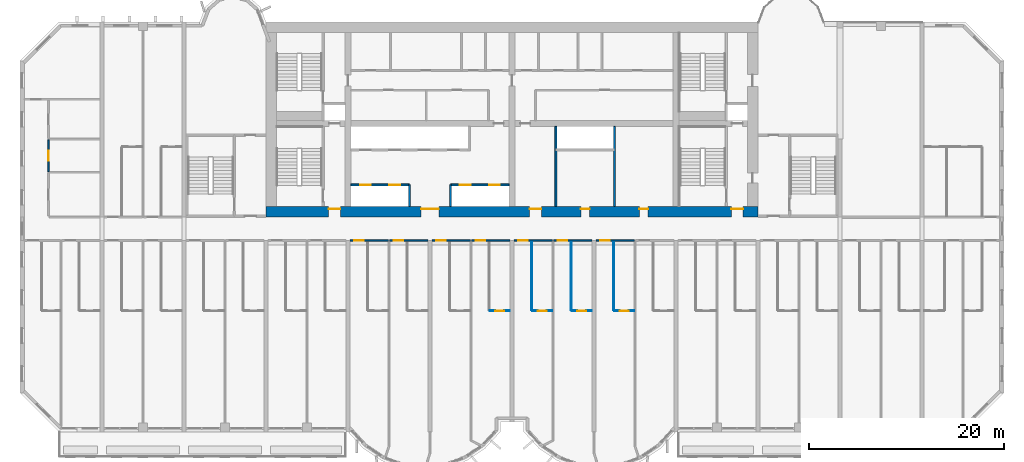
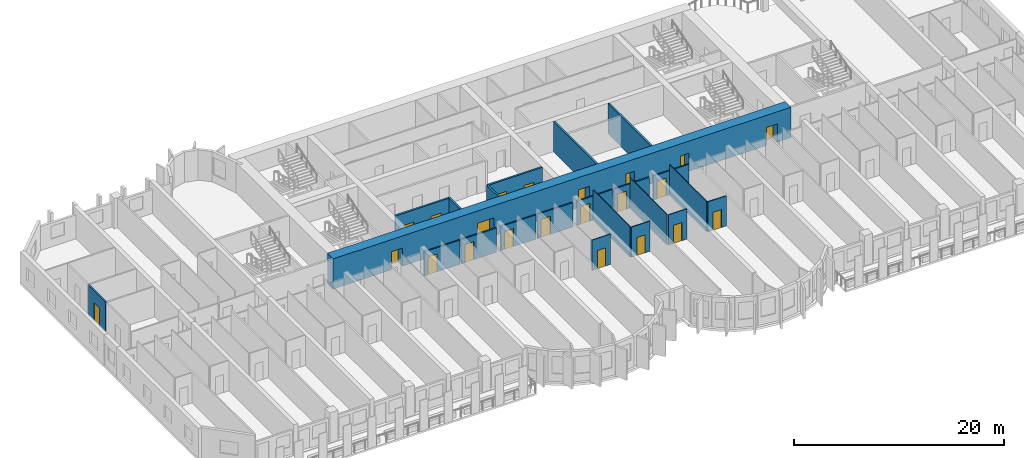
# One storey, part 5 of 14: 22 doors, 22 walls, 22 openings.
"""IFC4 building model written with IfcOpenShell, lengths in metres."""

from ifc_helpers import new_model, si_unit, direction, frame, frame_2d, origin, place, context, subcontext, project, spatial, rectangle, extrude, source, transform, mapped, material, layer, layer_set, type_object, element, fill, save


model = new_model("IFC4")

# Units and contexts
model_context = context("Model", 3, precision=1e-05, world=origin(), true_north=direction((0.0, 1.0)))
body_context = subcontext(model_context, "Body", "Model", "MODEL_VIEW")
ifc_project = project(units=[si_unit("LENGTHUNIT", "METRE"), si_unit("AREAUNIT", "SQUARE_METRE"), si_unit("VOLUMEUNIT", "CUBIC_METRE"), si_unit("PLANEANGLEUNIT", "RADIAN"), si_unit("MASSUNIT", "GRAM", prefix="KILO")], contexts=[model_context])

# Site, building, storey
site_placement = place(None, origin())
site = spatial("IfcSite", under=ifc_project, at=site_placement, CompositionType="ELEMENT")
building_placement = place(site_placement, origin())
building = spatial("IfcBuilding", under=site, at=building_placement, Name="Vanashikhar Sky Hotel", CompositionType="ELEMENT")
storey_placement = place(building_placement, frame((0.0, 0.0, 27.800048828125)))
storey = spatial("IfcBuildingStorey", under=building, at=storey_placement, Name="L05", CompositionType="ELEMENT", Elevation=27.800048828125)

# Wall, openings, doors
ifc_material_1 = material(Name="Concrete M80", Category="concrete")
ifc_layer_1 = layer(ifc_material_1, 1.10009765625)
ifc_layer_set_1 = layer_set([ifc_layer_1], Name="RC core shell wall 1100 Concrete M80")
wall_type_1 = type_object("IfcWallType", Name="RC core shell wall 1100 Concrete M80", PredefinedType="SHEAR", material=ifc_layer_set_1)
shared_shape_1 = source(origin(), body_context, "Body", "SweptSolid", [
    extrude(rectangle(XDim=50.400146484375, YDim=1.10009765625, at=frame_2d((25.2001953125, 0.0))), origin(), (0.0, 0.0, 1.0), 3.52001953125),
])
wall_1_placement = place(storey_placement, frame((25.199951171875, 22.550048828125, 0.0), z_axis=(0.0, 0.0, 1.0), x_axis=(1.0, 0.0, 0.0)))
wall_1 = element("IfcWall", 1, at=wall_1_placement, inside=storey, type_object=wall_type_1, Name="KW-L05-KS", PredefinedType="SHEAR", context=body_context, shape_type="MappedRepresentation", body=[
    mapped(shared_shape_1, transform((0.0, 0.0, 0.0), scale=1.0)),
])
shared_shape_2 = source(origin(), body_context, "Body", "SweptSolid", [
    extrude(rectangle(XDim=1.800048828125, YDim=2.10009765625, at=frame_2d((0.89990234375, 1.050048828125))), frame((0.0, 0.56005859375, 0.0), z_axis=(0.0, -1.0, 0.0), x_axis=(1.0, 0.0, 0.0)), (0.0, 0.0, 1.0), 1.1201171875),
])
opening_1_placement = place(wall_1_placement, frame((15.89990234375, 0.0, 0.0)))
opening_1 = element("IfcOpeningElement", 2, at=opening_1_placement, cuts=wall_1, Name="Opening DC-3-A", PredefinedType="OPENING", context=body_context, shape_type="MappedRepresentation", body=[
    mapped(shared_shape_2, transform((0.0, 0.0, 0.0), scale=1.0)),
])
shared_shape_3 = source(origin(), body_context, "Body", "SweptSolid", [
    extrude(rectangle(XDim=1.199951171875, YDim=2.10009765625, at=frame_2d((0.60009765625, 1.050048828125))), frame((0.0, 0.56005859375, 0.0), z_axis=(0.0, -1.0, 0.0), x_axis=(1.0, 0.0, 0.0)), (0.0, 0.0, 1.0), 1.1201171875),
])
opening_2_placement = place(wall_1_placement, frame((27.0, 0.0, 0.0)))
opening_2 = element("IfcOpeningElement", 3, at=opening_2_placement, cuts=wall_1, Name="Opening DC-4-B", PredefinedType="OPENING", context=body_context, shape_type="MappedRepresentation", body=[
    mapped(shared_shape_3, transform((0.0, 0.0, 0.0), scale=1.0)),
])
shared_shape_4 = source(origin(), body_context, "Body", "SweptSolid", [
    extrude(rectangle(XDim=0.89990234375, YDim=2.10009765625, at=frame_2d((0.449951171875, 1.050048828125))), frame((0.0, 0.56005859375, 0.0), z_axis=(0.0, -1.0, 0.0), x_axis=(1.0, 0.0, 0.0)), (0.0, 0.0, 1.0), 1.1201171875),
])
opening_3_placement = place(wall_1_placement, frame((32.25, 0.0, 0.0)))
opening_3 = element("IfcOpeningElement", 4, at=opening_3_placement, cuts=wall_1, Name="Opening DC-4-A", PredefinedType="OPENING", context=body_context, shape_type="MappedRepresentation", body=[
    mapped(shared_shape_4, transform((0.0, 0.0, 0.0), scale=1.0)),
])
opening_4_placement = place(wall_1_placement, frame((38.25, 0.0, 0.0)))
opening_4 = element("IfcOpeningElement", 5, at=opening_4_placement, cuts=wall_1, Name="Opening DC-4-A", PredefinedType="OPENING", context=body_context, shape_type="MappedRepresentation", body=[
    mapped(shared_shape_4, transform((0.0, 0.0, 0.0), scale=1.0)),
])
opening_5_placement = place(wall_1_placement, frame((6.425048828125, 0.0, 0.0)))
opening_5 = element("IfcOpeningElement", 6, at=opening_5_placement, cuts=wall_1, Name="Opening DC-2", PredefinedType="OPENING", context=body_context, shape_type="MappedRepresentation", body=[
    mapped(shared_shape_3, transform((0.0, 0.0, 0.0), scale=1.0)),
])
opening_6_placement = place(wall_1_placement, frame((47.675048828125, 0.0, 0.0)))
opening_6 = element("IfcOpeningElement", 7, at=opening_6_placement, cuts=wall_1, Name="Opening DC-2", PredefinedType="OPENING", context=body_context, shape_type="MappedRepresentation", body=[
    mapped(shared_shape_3, transform((0.0, 0.0, 0.0), scale=1.0)),
])
ifc_material_2 = material(Name="Glass", Category="glass")
door_type_1 = type_object("IfcDoorType", Name="Lift lobby entrance door 1800 FD30S", OperationType="NOTDEFINED", PredefinedType="DOOR", material=ifc_material_2)
shared_shape_5 = source(origin(), body_context, "Body", "SweptSolid", [
    extrude(rectangle(XDim=1.800048828125, YDim=2.10009765625, at=frame_2d((0.89990234375, 1.050048828125))), frame((0.0, 0.3251953125, 0.0), z_axis=(0.0, -1.0, 0.0), x_axis=(1.0, 0.0, 0.0)), (0.0, 0.0, 1.0), 0.050048828125),
])
door_1_placement = place(opening_1_placement, origin())
door_1 = element("IfcDoor", 8, at=door_1_placement, inside=storey, type_object=door_type_1, Name="Lift lobby entrance door 1800 FD30S", OperationType="DOUBLE_DOOR_SINGLE_SWING", OverallHeight=2.10009765625, OverallWidth=1.800048828125, PredefinedType="DOOR", context=body_context, shape_type="MappedRepresentation", body=[
    mapped(shared_shape_5, transform((0.0, 0.0, 0.0), scale=1.0)),
])
fill(opening_1, door_1)
ifc_material_3 = material(Name="Steel", Category="steel")
door_type_2 = type_object("IfcDoorType", Name="Service door 1200 FD60", OperationType="NOTDEFINED", PredefinedType="DOOR", material=ifc_material_3)
shared_shape_6 = source(origin(), body_context, "Body", "SweptSolid", [
    extrude(rectangle(XDim=1.199951171875, YDim=2.10009765625, at=frame_2d((0.60009765625, 1.050048828125))), frame((0.0, 0.3251953125, 0.0), z_axis=(0.0, -1.0, 0.0), x_axis=(1.0, 0.0, 0.0)), (0.0, 0.0, 1.0), 0.050048828125),
])
door_2_placement = place(opening_2_placement, origin())
door_2 = element("IfcDoor", 9, at=door_2_placement, inside=storey, type_object=door_type_2, Name="Service door 1200 FD60", OperationType="SINGLE_SWING_LEFT", OverallHeight=2.10009765625, OverallWidth=1.199951171875, PredefinedType="DOOR", context=body_context, shape_type="MappedRepresentation", body=[
    mapped(shared_shape_6, transform((0.0, 0.0, 0.0), scale=1.0)),
])
fill(opening_2, door_2)
door_type_3 = type_object("IfcDoorType", Name="Firefighting lobby door 1200 FD120", OperationType="NOTDEFINED", PredefinedType="DOOR", material=ifc_material_3)
door_3_placement = place(opening_5_placement, origin())
door_3 = element("IfcDoor", 10, at=door_3_placement, inside=storey, type_object=door_type_3, Name="Firefighting lobby door 1200 FD120", OperationType="SINGLE_SWING_LEFT", OverallHeight=2.10009765625, OverallWidth=1.199951171875, PredefinedType="DOOR", context=body_context, shape_type="MappedRepresentation", body=[
    mapped(shared_shape_6, transform((0.0, 0.0, 0.0), scale=1.0)),
])
fill(opening_5, door_3)
door_4_placement = place(opening_6_placement, origin())
door_4 = element("IfcDoor", 11, at=door_4_placement, inside=storey, type_object=door_type_3, Name="Firefighting lobby door 1200 FD120", OperationType="SINGLE_SWING_RIGHT", OverallHeight=2.10009765625, OverallWidth=1.199951171875, PredefinedType="DOOR", context=body_context, shape_type="MappedRepresentation", body=[
    mapped(shared_shape_6, transform((0.0, 0.0, 0.0), scale=1.0)),
])
fill(opening_6, door_4)
door_type_4 = type_object("IfcDoorType", Name="Service door 900 FD60", OperationType="NOTDEFINED", PredefinedType="DOOR", material=ifc_material_3)
shared_shape_7 = source(origin(), body_context, "Body", "SweptSolid", [
    extrude(rectangle(XDim=0.89990234375, YDim=2.10009765625, at=frame_2d((0.449951171875, 1.050048828125))), frame((0.0, 0.3251953125, 0.0), z_axis=(0.0, -1.0, 0.0), x_axis=(1.0, 0.0, 0.0)), (0.0, 0.0, 1.0), 0.050048828125),
])
door_5_placement = place(opening_3_placement, origin())
door_5 = element("IfcDoor", 12, at=door_5_placement, inside=storey, type_object=door_type_4, Name="Service door 900 FD60", OperationType="SINGLE_SWING_RIGHT", OverallHeight=2.10009765625, OverallWidth=0.89990234375, PredefinedType="DOOR", context=body_context, shape_type="MappedRepresentation", body=[
    mapped(shared_shape_7, transform((0.0, 0.0, 0.0), scale=1.0)),
])
fill(opening_3, door_5)
door_6_placement = place(opening_4_placement, origin())
door_6 = element("IfcDoor", 13, at=door_6_placement, inside=storey, type_object=door_type_4, Name="Service door 900 FD60", OperationType="SINGLE_SWING_LEFT", OverallHeight=2.10009765625, OverallWidth=0.89990234375, PredefinedType="DOOR", context=body_context, shape_type="MappedRepresentation", body=[
    mapped(shared_shape_7, transform((0.0, 0.0, 0.0), scale=1.0)),
])
fill(opening_4, door_6)

ifc_material_4 = material(Name="Concrete M40", Category="concrete")
ifc_layer_2 = layer(ifc_material_4, 0.199951171875)
ifc_layer_set_2 = layer_set([ifc_layer_2], Name="Shaft wall 200")
wall_type_2 = type_object("IfcWallType", Name="Shaft wall 200", PredefinedType="SOLIDWALL", material=ifc_layer_set_2)
shared_shape_8 = source(origin(), body_context, "Body", "SweptSolid", [
    extrude(rectangle(XDim=6.0, YDim=0.199951171875, at=frame_2d((3.0, 0.0))), origin(), (0.0, 0.0, 1.0), 3.52001953125),
])
wall_2_placement = place(storey_placement, frame((33.89990234375, 25.300048828125, 0.0), z_axis=(0.0, 0.0, 1.0), x_axis=(1.0, 0.0, 0.0)))
wall_2 = element("IfcWall", 14, at=wall_2_placement, inside=storey, type_object=wall_type_2, Name="Shaft wall 200", PredefinedType="SOLIDWALL", context=body_context, shape_type="MappedRepresentation", body=[
    mapped(shared_shape_8, transform((0.0, 0.0, 0.0), scale=1.0)),
])
shared_shape_9 = source(origin(), body_context, "Body", "SweptSolid", [
    extrude(rectangle(XDim=1.10009765625, YDim=2.10009765625, at=frame_2d((0.550048828125, 1.050048828125))), frame((0.0, 0.10986328125, 0.0), z_axis=(0.0, -1.0, 0.0), x_axis=(1.0, 0.0, 0.0)), (0.0, 0.0, 1.0), 0.219970703125),
])
opening_7_placement = place(wall_2_placement, frame((0.949951171875, 0.0, 0.0)))
opening_7 = element("IfcOpeningElement", 15, at=opening_7_placement, cuts=wall_2, Name="Opening LD", PredefinedType="OPENING", context=body_context, shape_type="MappedRepresentation", body=[
    mapped(shared_shape_9, transform((0.0, 0.0, 0.0), scale=1.0)),
])
opening_8_placement = place(wall_2_placement, frame((3.949951171875, 0.0, 0.0)))
opening_8 = element("IfcOpeningElement", 16, at=opening_8_placement, cuts=wall_2, Name="Opening LD", PredefinedType="OPENING", context=body_context, shape_type="MappedRepresentation", body=[
    mapped(shared_shape_9, transform((0.0, 0.0, 0.0), scale=1.0)),
])
ifc_material_5 = material(Name="Stainless steel", Category="steel")
door_type_5 = type_object("IfcDoorType", Name="Lift landing door 1100", OperationType="NOTDEFINED", PredefinedType="DOOR", material=ifc_material_5)
shared_shape_10 = source(origin(), body_context, "Body", "SweptSolid", [
    extrude(rectangle(XDim=1.10009765625, YDim=2.10009765625, at=frame_2d((0.550048828125, 1.050048828125))), frame((0.0, 0.02490234375, 0.0), z_axis=(0.0, -1.0, 0.0), x_axis=(1.0, 0.0, 0.0)), (0.0, 0.0, 1.0), 0.050048828125),
])
door_7_placement = place(opening_7_placement, origin())
door_7 = element("IfcDoor", 17, at=door_7_placement, inside=storey, type_object=door_type_5, Name="Lift landing door 1100", OperationType="SLIDING_TO_LEFT", OverallHeight=2.10009765625, OverallWidth=1.10009765625, PredefinedType="DOOR", context=body_context, shape_type="MappedRepresentation", body=[
    mapped(shared_shape_10, transform((0.0, 0.0, 0.0), scale=1.0)),
])
fill(opening_7, door_7)
door_8_placement = place(opening_8_placement, origin())
door_8 = element("IfcDoor", 18, at=door_8_placement, inside=storey, type_object=door_type_5, Name="Lift landing door 1100", OperationType="SLIDING_TO_RIGHT", OverallHeight=2.10009765625, OverallWidth=1.10009765625, PredefinedType="DOOR", context=body_context, shape_type="MappedRepresentation", body=[
    mapped(shared_shape_10, transform((0.0, 0.0, 0.0), scale=1.0)),
])
fill(opening_8, door_8)

wall_3_placement = place(storey_placement, frame((44.10009765625, 25.300048828125, 0.0), z_axis=(0.0, 0.0, 1.0), x_axis=(1.0, 0.0, 0.0)))
wall_3 = element("IfcWall", 19, at=wall_3_placement, inside=storey, type_object=wall_type_2, Name="Shaft wall 200", PredefinedType="SOLIDWALL", context=body_context, shape_type="MappedRepresentation", body=[
    mapped(shared_shape_8, transform((0.0, 0.0, 0.0), scale=1.0)),
])
opening_9_placement = place(wall_3_placement, frame((0.949951171875, 0.0, 0.0)))
opening_9 = element("IfcOpeningElement", 20, at=opening_9_placement, cuts=wall_3, Name="Opening LD", PredefinedType="OPENING", context=body_context, shape_type="MappedRepresentation", body=[
    mapped(shared_shape_9, transform((0.0, 0.0, 0.0), scale=1.0)),
])
opening_10_placement = place(wall_3_placement, frame((3.949951171875, 0.0, 0.0)))
opening_10 = element("IfcOpeningElement", 21, at=opening_10_placement, cuts=wall_3, Name="Opening LD", PredefinedType="OPENING", context=body_context, shape_type="MappedRepresentation", body=[
    mapped(shared_shape_9, transform((0.0, 0.0, 0.0), scale=1.0)),
])
door_9_placement = place(opening_9_placement, origin())
door_9 = element("IfcDoor", 22, at=door_9_placement, inside=storey, type_object=door_type_5, Name="Lift landing door 1100", OperationType="SLIDING_TO_LEFT", OverallHeight=2.10009765625, OverallWidth=1.10009765625, PredefinedType="DOOR", context=body_context, shape_type="MappedRepresentation", body=[
    mapped(shared_shape_10, transform((0.0, 0.0, 0.0), scale=1.0)),
])
fill(opening_9, door_9)
door_10_placement = place(opening_10_placement, origin())
door_10 = element("IfcDoor", 23, at=door_10_placement, inside=storey, type_object=door_type_5, Name="Lift landing door 1100", OperationType="SLIDING_TO_RIGHT", OverallHeight=2.10009765625, OverallWidth=1.10009765625, PredefinedType="DOOR", context=body_context, shape_type="MappedRepresentation", body=[
    mapped(shared_shape_10, transform((0.0, 0.0, 0.0), scale=1.0)),
])
fill(opening_10, door_10)

# Walls
shared_shape_11 = source(origin(), body_context, "Body", "SweptSolid", [
    extrude(rectangle(XDim=2.199951171875, YDim=0.199951171875, at=frame_2d((1.10009765625, 0.0))), origin(), (0.0, 0.0, 1.0), 3.52001953125),
])
for number, where, z_axis, x_axis, name in (
    (24, (39.89990234375, 23.10009765625, 0.0), (0.0, 0.0, 1.0), (0.0, 1.0, 0.0), "Shaft wall 200"),
    (25, (44.10009765625, 23.10009765625, 0.0), (0.0, 0.0, 1.0), (0.0, 1.0, 0.0), "Shaft wall 200"),
):
    element("IfcWall", number, at=place(storey_placement, frame(where, z_axis=z_axis, x_axis=x_axis)), inside=storey, type_object=wall_type_2, Name=name, PredefinedType="SOLIDWALL", context=body_context, shape_type="MappedRepresentation", body=[
        mapped(shared_shape_11, transform((0.0, 0.0, 0.0), scale=1.0)),
    ])
ifc_material_6 = material(Name="Gypsum board partition")
ifc_layer_3 = layer(ifc_material_6, 0.14990234375)
ifc_layer_set_3 = layer_set([ifc_layer_3], Name="Service partition 150")
wall_type_3 = type_object("IfcWallType", Name="Service partition 150", PredefinedType="PARTITIONING", material=ifc_layer_set_3)
shared_shape_12 = source(origin(), body_context, "Body", "SweptSolid", [
    extrude(rectangle(XDim=8.199951171875, YDim=0.199951171875, at=frame_2d((4.10009765625, 0.0))), origin(), (0.0, 0.0, 1.0), 3.52001953125),
])
for number, where, z_axis, x_axis, name in (
    (26, (54.89990234375, 23.10009765625, 0.0), (0.0, 0.0, 1.0), (0.0, 1.0, 0.0), "Service partition 150"),
    (27, (60.89990234375, 23.10009765625, 0.0), (0.0, 0.0, 1.0), (0.0, 1.0, 0.0), "Service partition 150"),
):
    element("IfcWall", number, at=place(storey_placement, frame(where, z_axis=z_axis, x_axis=x_axis)), inside=storey, type_object=wall_type_3, Name=name, PredefinedType="PARTITIONING", context=body_context, shape_type="MappedRepresentation", body=[
        mapped(shared_shape_12, transform((0.0, 0.0, 0.0), scale=1.0)),
    ])
ifc_material_7 = material(Name="Gypsum plasterboard partition")
ifc_layer_4 = layer(ifc_material_7, 0.10009765625)
ifc_layer_set_4 = layer_set([ifc_layer_4], Name="Wet room partition 100")
wall_type_4 = type_object("IfcWallType", Name="Wet room partition 100", PredefinedType="PARTITIONING", material=ifc_layer_set_4)
shared_shape_13 = source(origin(), body_context, "Body", "SweptSolid", [
    extrude(rectangle(XDim=7.0498046875, YDim=0.10009765625, at=frame_2d((3.52490234375, 0.0))), origin(), (0.0, 0.0, 1.0), 3.52001953125),
])
for number, where, z_axis, x_axis, name in (
    (28, (52.425048828125, 12.47509765625, 0.0), (0.0, 0.0, 1.0), (0.0, 1.0, 0.0), "W-L05-PW043"),
    (29, (56.47509765625, 12.47509765625, 0.0), (0.0, 0.0, 1.0), (0.0, 1.0, 0.0), "W-L05-PW046"),
    (30, (60.824951171875, 12.47509765625, 0.0), (0.0, 0.0, 1.0), (0.0, 1.0, 0.0), "W-L05-PW050"),
):
    element("IfcWall", number, at=place(storey_placement, frame(where, z_axis=z_axis, x_axis=x_axis)), inside=storey, type_object=wall_type_4, Name=name, PredefinedType="PARTITIONING", context=body_context, shape_type="MappedRepresentation", body=[
        mapped(shared_shape_13, transform((0.0, 0.0, 0.0), scale=1.0)),
    ])

# Wall, opening, door
shared_shape_14 = source(origin(), body_context, "Body", "SweptSolid", [
    extrude(rectangle(XDim=2.050048828125, YDim=0.10009765625, at=frame_2d((1.02490234375, 0.0))), origin(), (0.0, 0.0, 1.0), 3.52001953125),
])
wall_4_placement = place(storey_placement, frame((48.125, 12.39990234375, 0.0), z_axis=(0.0, 0.0, 1.0), x_axis=(1.0, 0.0, 0.0)))
wall_4 = element("IfcWall", 31, at=wall_4_placement, inside=storey, type_object=wall_type_4, Name="W-L05-PW040", PredefinedType="PARTITIONING", context=body_context, shape_type="MappedRepresentation", body=[
    mapped(shared_shape_14, transform((0.0, 0.0, 0.0), scale=1.0)),
])
shared_shape_15 = source(origin(), body_context, "Body", "SweptSolid", [
    extrude(rectangle(XDim=0.89990234375, YDim=2.10009765625, at=frame_2d((0.449951171875, 1.050048828125))), frame((0.0, 0.06005859375, 0.0), z_axis=(0.0, -1.0, 0.0), x_axis=(1.0, 0.0, 0.0)), (0.0, 0.0, 1.0), 0.1201171875),
])
opening_11_placement = place(wall_4_placement, frame((0.574951171875, 0.0, 0.0)))
opening_11 = element("IfcOpeningElement", 32, at=opening_11_placement, cuts=wall_4, Name="Opening D-02", PredefinedType="OPENING", context=body_context, shape_type="MappedRepresentation", body=[
    mapped(shared_shape_15, transform((0.0, 0.0, 0.0), scale=1.0)),
])
ifc_material_8 = material(Name="Timber door", Category="wood")
door_type_6 = type_object("IfcDoorType", Name="Internal door 900", OperationType="NOTDEFINED", PredefinedType="DOOR", material=ifc_material_8)
shared_shape_16 = source(origin(), body_context, "Body", "SweptSolid", [
    extrude(rectangle(XDim=0.89990234375, YDim=2.10009765625, at=frame_2d((0.449951171875, 1.050048828125))), frame((0.0, 0.02490234375, 0.0), z_axis=(0.0, -1.0, 0.0), x_axis=(1.0, 0.0, 0.0)), (0.0, 0.0, 1.0), 0.050048828125),
])
door_11_placement = place(opening_11_placement, origin())
door_11 = element("IfcDoor", 33, at=door_11_placement, inside=storey, type_object=door_type_6, Name="D-L05-023", OperationType="SINGLE_SWING_LEFT", OverallHeight=2.10009765625, OverallWidth=0.89990234375, PredefinedType="DOOR", context=body_context, shape_type="MappedRepresentation", body=[
    mapped(shared_shape_16, transform((0.0, 0.0, 0.0), scale=1.0)),
])
fill(opening_11, door_11)

wall_5_placement = place(storey_placement, frame((56.52490234375, 12.39990234375, 0.0), z_axis=(0.0, 0.0, 1.0), x_axis=(1.0, 0.0, 0.0)))
wall_5 = element("IfcWall", 34, at=wall_5_placement, inside=storey, type_object=wall_type_4, Name="W-L05-PW047", PredefinedType="PARTITIONING", context=body_context, shape_type="MappedRepresentation", body=[
    mapped(shared_shape_14, transform((0.0, 0.0, 0.0), scale=1.0)),
])
opening_12_placement = place(wall_5_placement, frame((0.574951171875, 0.0, 0.0)))
opening_12 = element("IfcOpeningElement", 35, at=opening_12_placement, cuts=wall_5, Name="Opening D-02", PredefinedType="OPENING", context=body_context, shape_type="MappedRepresentation", body=[
    mapped(shared_shape_15, transform((0.0, 0.0, 0.0), scale=1.0)),
])
door_12_placement = place(opening_12_placement, origin())
door_12 = element("IfcDoor", 36, at=door_12_placement, inside=storey, type_object=door_type_6, Name="D-L05-027", OperationType="SINGLE_SWING_LEFT", OverallHeight=2.10009765625, OverallWidth=0.89990234375, PredefinedType="DOOR", context=body_context, shape_type="MappedRepresentation", body=[
    mapped(shared_shape_16, transform((0.0, 0.0, 0.0), scale=1.0)),
])
fill(opening_12, door_12)

wall_6_placement = place(storey_placement, frame((60.875, 12.39990234375, 0.0), z_axis=(0.0, 0.0, 1.0), x_axis=(1.0, 0.0, 0.0)))
wall_6 = element("IfcWall", 37, at=wall_6_placement, inside=storey, type_object=wall_type_4, Name="W-L05-PW051", PredefinedType="PARTITIONING", context=body_context, shape_type="MappedRepresentation", body=[
    mapped(shared_shape_14, transform((0.0, 0.0, 0.0), scale=1.0)),
])
opening_13_placement = place(wall_6_placement, frame((0.574951171875, 0.0, 0.0)))
opening_13 = element("IfcOpeningElement", 38, at=opening_13_placement, cuts=wall_6, Name="Opening D-02", PredefinedType="OPENING", context=body_context, shape_type="MappedRepresentation", body=[
    mapped(shared_shape_15, transform((0.0, 0.0, 0.0), scale=1.0)),
])
door_13_placement = place(opening_13_placement, origin())
door_13 = element("IfcDoor", 39, at=door_13_placement, inside=storey, type_object=door_type_6, Name="D-L05-029", OperationType="SINGLE_SWING_LEFT", OverallHeight=2.10009765625, OverallWidth=0.89990234375, PredefinedType="DOOR", context=body_context, shape_type="MappedRepresentation", body=[
    mapped(shared_shape_16, transform((0.0, 0.0, 0.0), scale=1.0)),
])
fill(opening_13, door_13)

ifc_layer_5 = layer(ifc_material_7, 0.14990234375)
ifc_layer_set_5 = layer_set([ifc_layer_5], Name="Corridor and demising partition 150")
wall_type_5 = type_object("IfcWallType", Name="Corridor and demising partition 150", PredefinedType="PARTITIONING", material=ifc_layer_set_5)
shared_shape_17 = source(origin(), body_context, "Body", "SweptSolid", [
    extrude(rectangle(XDim=3.900146484375, YDim=0.14990234375, at=frame_2d((1.9501953125, 0.0))), origin(), (0.0, 0.0, 1.0), 2.820068359375),
])
wall_7_placement = place(storey_placement, frame((33.824951171875, 19.60009765625, 0.0), z_axis=(0.0, 0.0, 1.0), x_axis=(1.0, 0.0, 0.0)))
wall_7 = element("IfcWall", 40, at=wall_7_placement, inside=storey, type_object=wall_type_5, Name="W-L05-PW031", PredefinedType="PARTITIONING", context=body_context, shape_type="MappedRepresentation", body=[
    mapped(shared_shape_17, transform((0.0, 0.0, 0.0), scale=1.0)),
])
shared_shape_18 = source(origin(), body_context, "Body", "SweptSolid", [
    extrude(rectangle(XDim=1.0, YDim=2.10009765625, at=frame_2d((0.5, 1.050048828125))), frame((0.0, 0.0849609375, 0.0), z_axis=(0.0, -1.0, 0.0), x_axis=(1.0, 0.0, 0.0)), (0.0, 0.0, 1.0), 0.169921875),
])
opening_14_placement = place(wall_7_placement, frame((0.39990234375, 0.0, 0.0)))
opening_14 = element("IfcOpeningElement", 41, at=opening_14_placement, cuts=wall_7, Name="Opening D-01", PredefinedType="OPENING", context=body_context, shape_type="MappedRepresentation", body=[
    mapped(shared_shape_18, transform((0.0, 0.0, 0.0), scale=1.0)),
])
ifc_material_9 = material(Name="Timber fire door", Category="wood")
door_type_7 = type_object("IfcDoorType", Name="Guest entry door 1000 FD30S", OperationType="NOTDEFINED", PredefinedType="DOOR", material=ifc_material_9)
shared_shape_19 = source(origin(), body_context, "Body", "SweptSolid", [
    extrude(rectangle(XDim=1.0, YDim=2.10009765625, at=frame_2d((0.5, 1.050048828125))), frame((0.0, 0.02490234375, 0.0), z_axis=(0.0, -1.0, 0.0), x_axis=(1.0, 0.0, 0.0)), (0.0, 0.0, 1.0), 0.050048828125),
])
door_14_placement = place(opening_14_placement, origin())
door_14 = element("IfcDoor", 42, at=door_14_placement, inside=storey, type_object=door_type_7, Name="D-L05-018", OperationType="SINGLE_SWING_LEFT", OverallHeight=2.10009765625, OverallWidth=1.0, PredefinedType="DOOR", context=body_context, shape_type="MappedRepresentation", body=[
    mapped(shared_shape_19, transform((0.0, 0.0, 0.0), scale=1.0)),
])
fill(opening_14, door_14)

wall_8_placement = place(storey_placement, frame((46.27490234375, 19.60009765625, 0.0), z_axis=(0.0, 0.0, 1.0), x_axis=(1.0, 0.0, 0.0)))
wall_8 = element("IfcWall", 43, at=wall_8_placement, inside=storey, type_object=wall_type_5, Name="W-L05-PW041", PredefinedType="PARTITIONING", context=body_context, shape_type="MappedRepresentation", body=[
    mapped(shared_shape_17, transform((0.0, 0.0, 0.0), scale=1.0)),
])
opening_15_placement = place(wall_8_placement, frame((0.39990234375, 0.0, 0.0)))
opening_15 = element("IfcOpeningElement", 44, at=opening_15_placement, cuts=wall_8, Name="Opening D-01", PredefinedType="OPENING", context=body_context, shape_type="MappedRepresentation", body=[
    mapped(shared_shape_18, transform((0.0, 0.0, 0.0), scale=1.0)),
])
door_15_placement = place(opening_15_placement, origin())
door_15 = element("IfcDoor", 45, at=door_15_placement, inside=storey, type_object=door_type_7, Name="D-L05-024", OperationType="SINGLE_SWING_LEFT", OverallHeight=2.10009765625, OverallWidth=1.0, PredefinedType="DOOR", context=body_context, shape_type="MappedRepresentation", body=[
    mapped(shared_shape_19, transform((0.0, 0.0, 0.0), scale=1.0)),
])
fill(opening_15, door_15)

wall_9_placement = place(storey_placement, frame((59.02490234375, 19.60009765625, 0.0), z_axis=(0.0, 0.0, 1.0), x_axis=(1.0, 0.0, 0.0)))
wall_9 = element("IfcWall", 46, at=wall_9_placement, inside=storey, type_object=wall_type_5, Name="W-L05-PW052", PredefinedType="PARTITIONING", context=body_context, shape_type="MappedRepresentation", body=[
    mapped(shared_shape_17, transform((0.0, 0.0, 0.0), scale=1.0)),
])
opening_16_placement = place(wall_9_placement, frame((0.39990234375, 0.0, 0.0)))
opening_16 = element("IfcOpeningElement", 47, at=opening_16_placement, cuts=wall_9, Name="Opening D-01", PredefinedType="OPENING", context=body_context, shape_type="MappedRepresentation", body=[
    mapped(shared_shape_18, transform((0.0, 0.0, 0.0), scale=1.0)),
])
door_16_placement = place(opening_16_placement, origin())
door_16 = element("IfcDoor", 48, at=door_16_placement, inside=storey, type_object=door_type_7, Name="D-L05-030", OperationType="SINGLE_SWING_LEFT", OverallHeight=2.10009765625, OverallWidth=1.0, PredefinedType="DOOR", context=body_context, shape_type="MappedRepresentation", body=[
    mapped(shared_shape_19, transform((0.0, 0.0, 0.0), scale=1.0)),
])
fill(opening_16, door_16)

shared_shape_20 = source(origin(), body_context, "Body", "SweptSolid", [
    extrude(rectangle(XDim=2.0498046875, YDim=0.10009765625, at=frame_2d((1.02490234375, 0.0))), origin(), (0.0, 0.0, 1.0), 3.52001953125),
])
wall_10_placement = place(storey_placement, frame((52.47509765625, 12.39990234375, 0.0), z_axis=(0.0, 0.0, 1.0), x_axis=(1.0, 0.0, 0.0)))
wall_10 = element("IfcWall", 49, at=wall_10_placement, inside=storey, type_object=wall_type_4, Name="W-L05-PW044", PredefinedType="PARTITIONING", context=body_context, shape_type="MappedRepresentation", body=[
    mapped(shared_shape_20, transform((0.0, 0.0, 0.0), scale=1.0)),
])
opening_17_placement = place(wall_10_placement, frame((0.574951171875, 0.0, 0.0)))
opening_17 = element("IfcOpeningElement", 50, at=opening_17_placement, cuts=wall_10, Name="Opening D-02", PredefinedType="OPENING", context=body_context, shape_type="MappedRepresentation", body=[
    mapped(shared_shape_15, transform((0.0, 0.0, 0.0), scale=1.0)),
])
door_17_placement = place(opening_17_placement, origin())
door_17 = element("IfcDoor", 51, at=door_17_placement, inside=storey, type_object=door_type_6, Name="D-L05-025", OperationType="SINGLE_SWING_LEFT", OverallHeight=2.10009765625, OverallWidth=0.89990234375, PredefinedType="DOOR", context=body_context, shape_type="MappedRepresentation", body=[
    mapped(shared_shape_16, transform((0.0, 0.0, 0.0), scale=1.0)),
])
fill(opening_17, door_17)

shared_shape_21 = source(origin(), body_context, "Body", "SweptSolid", [
    extrude(rectangle(XDim=3.89990234375, YDim=0.14990234375, at=frame_2d((1.949951171875, 0.0))), origin(), (0.0, 0.0, 1.0), 2.820068359375),
])
wall_11_placement = place(storey_placement, frame((37.875, 19.60009765625, 0.0), z_axis=(0.0, 0.0, 1.0), x_axis=(1.0, 0.0, 0.0)))
wall_11 = element("IfcWall", 52, at=wall_11_placement, inside=storey, type_object=wall_type_5, Name="W-L05-PW034", PredefinedType="PARTITIONING", context=body_context, shape_type="MappedRepresentation", body=[
    mapped(shared_shape_21, transform((0.0, 0.0, 0.0), scale=1.0)),
])
opening_18_placement = place(wall_11_placement, frame((0.39990234375, 0.0, 0.0)))
opening_18 = element("IfcOpeningElement", 53, at=opening_18_placement, cuts=wall_11, Name="Opening D-01", PredefinedType="OPENING", context=body_context, shape_type="MappedRepresentation", body=[
    mapped(shared_shape_18, transform((0.0, 0.0, 0.0), scale=1.0)),
])
door_18_placement = place(opening_18_placement, origin())
door_18 = element("IfcDoor", 54, at=door_18_placement, inside=storey, type_object=door_type_7, Name="D-L05-020", OperationType="SINGLE_SWING_LEFT", OverallHeight=2.10009765625, OverallWidth=1.0, PredefinedType="DOOR", context=body_context, shape_type="MappedRepresentation", body=[
    mapped(shared_shape_19, transform((0.0, 0.0, 0.0), scale=1.0)),
])
fill(opening_18, door_18)

wall_12_placement = place(storey_placement, frame((42.22509765625, 19.60009765625, 0.0), z_axis=(0.0, 0.0, 1.0), x_axis=(1.0, 0.0, 0.0)))
wall_12 = element("IfcWall", 55, at=wall_12_placement, inside=storey, type_object=wall_type_5, Name="W-L05-PW038", PredefinedType="PARTITIONING", context=body_context, shape_type="MappedRepresentation", body=[
    mapped(shared_shape_21, transform((0.0, 0.0, 0.0), scale=1.0)),
])
opening_19_placement = place(wall_12_placement, frame((0.39990234375, 0.0, 0.0)))
opening_19 = element("IfcOpeningElement", 56, at=opening_19_placement, cuts=wall_12, Name="Opening D-01", PredefinedType="OPENING", context=body_context, shape_type="MappedRepresentation", body=[
    mapped(shared_shape_18, transform((0.0, 0.0, 0.0), scale=1.0)),
])
door_19_placement = place(opening_19_placement, origin())
door_19 = element("IfcDoor", 57, at=door_19_placement, inside=storey, type_object=door_type_7, Name="D-L05-022", OperationType="SINGLE_SWING_LEFT", OverallHeight=2.10009765625, OverallWidth=1.0, PredefinedType="DOOR", context=body_context, shape_type="MappedRepresentation", body=[
    mapped(shared_shape_19, transform((0.0, 0.0, 0.0), scale=1.0)),
])
fill(opening_19, door_19)

wall_13_placement = place(storey_placement, frame((50.625, 19.60009765625, 0.0), z_axis=(0.0, 0.0, 1.0), x_axis=(1.0, 0.0, 0.0)))
wall_13 = element("IfcWall", 58, at=wall_13_placement, inside=storey, type_object=wall_type_5, Name="W-L05-PW045", PredefinedType="PARTITIONING", context=body_context, shape_type="MappedRepresentation", body=[
    mapped(shared_shape_21, transform((0.0, 0.0, 0.0), scale=1.0)),
])
opening_20_placement = place(wall_13_placement, frame((0.39990234375, 0.0, 0.0)))
opening_20 = element("IfcOpeningElement", 59, at=opening_20_placement, cuts=wall_13, Name="Opening D-01", PredefinedType="OPENING", context=body_context, shape_type="MappedRepresentation", body=[
    mapped(shared_shape_18, transform((0.0, 0.0, 0.0), scale=1.0)),
])
door_20_placement = place(opening_20_placement, origin())
door_20 = element("IfcDoor", 60, at=door_20_placement, inside=storey, type_object=door_type_7, Name="D-L05-026", OperationType="SINGLE_SWING_LEFT", OverallHeight=2.10009765625, OverallWidth=1.0, PredefinedType="DOOR", context=body_context, shape_type="MappedRepresentation", body=[
    mapped(shared_shape_19, transform((0.0, 0.0, 0.0), scale=1.0)),
])
fill(opening_20, door_20)

wall_14_placement = place(storey_placement, frame((54.675048828125, 19.60009765625, 0.0), z_axis=(0.0, 0.0, 1.0), x_axis=(1.0, 0.0, 0.0)))
wall_14 = element("IfcWall", 61, at=wall_14_placement, inside=storey, type_object=wall_type_5, Name="W-L05-PW048", PredefinedType="PARTITIONING", context=body_context, shape_type="MappedRepresentation", body=[
    mapped(shared_shape_21, transform((0.0, 0.0, 0.0), scale=1.0)),
])
opening_21_placement = place(wall_14_placement, frame((0.39990234375, 0.0, 0.0)))
opening_21 = element("IfcOpeningElement", 62, at=opening_21_placement, cuts=wall_14, Name="Opening D-01", PredefinedType="OPENING", context=body_context, shape_type="MappedRepresentation", body=[
    mapped(shared_shape_18, transform((0.0, 0.0, 0.0), scale=1.0)),
])
door_21_placement = place(opening_21_placement, origin())
door_21 = element("IfcDoor", 63, at=door_21_placement, inside=storey, type_object=door_type_7, Name="D-L05-028", OperationType="SINGLE_SWING_LEFT", OverallHeight=2.10009765625, OverallWidth=1.0, PredefinedType="DOOR", context=body_context, shape_type="MappedRepresentation", body=[
    mapped(shared_shape_19, transform((0.0, 0.0, 0.0), scale=1.0)),
])
fill(opening_21, door_21)

shared_shape_22 = source(origin(), body_context, "Body", "SweptSolid", [
    extrude(rectangle(XDim=3.25, YDim=0.14990234375, at=frame_2d((1.625, 0.0))), origin(), (0.0, 0.0, 1.0), 3.52001953125),
])
wall_15_placement = place(storey_placement, frame((2.925048828125, 26.675048828125, 0.0), z_axis=(0.0, 0.0, 1.0), x_axis=(0.0, 1.0, 0.0)))
wall_15 = element("IfcWall", 64, at=wall_15_placement, inside=storey, type_object=wall_type_5, Name="W-L05-PW090", PredefinedType="PARTITIONING", context=body_context, shape_type="MappedRepresentation", body=[
    mapped(shared_shape_22, transform((0.0, 0.0, 0.0), scale=1.0)),
])
opening_22_placement = place(wall_15_placement, frame((1.125, 0.0, 0.0)))
opening_22 = element("IfcOpeningElement", 65, at=opening_22_placement, cuts=wall_15, Name="Opening D-01", PredefinedType="OPENING", context=body_context, shape_type="MappedRepresentation", body=[
    mapped(shared_shape_18, transform((0.0, 0.0, 0.0), scale=1.0)),
])
door_22_placement = place(opening_22_placement, origin())
door_22 = element("IfcDoor", 66, at=door_22_placement, inside=storey, type_object=door_type_7, Name="D-L05-050", OperationType="SINGLE_SWING_LEFT", OverallHeight=2.10009765625, OverallWidth=1.0, PredefinedType="DOOR", context=body_context, shape_type="MappedRepresentation", body=[
    mapped(shared_shape_19, transform((0.0, 0.0, 0.0), scale=1.0)),
])
fill(opening_22, door_22)

save(model, "model.ifc")
